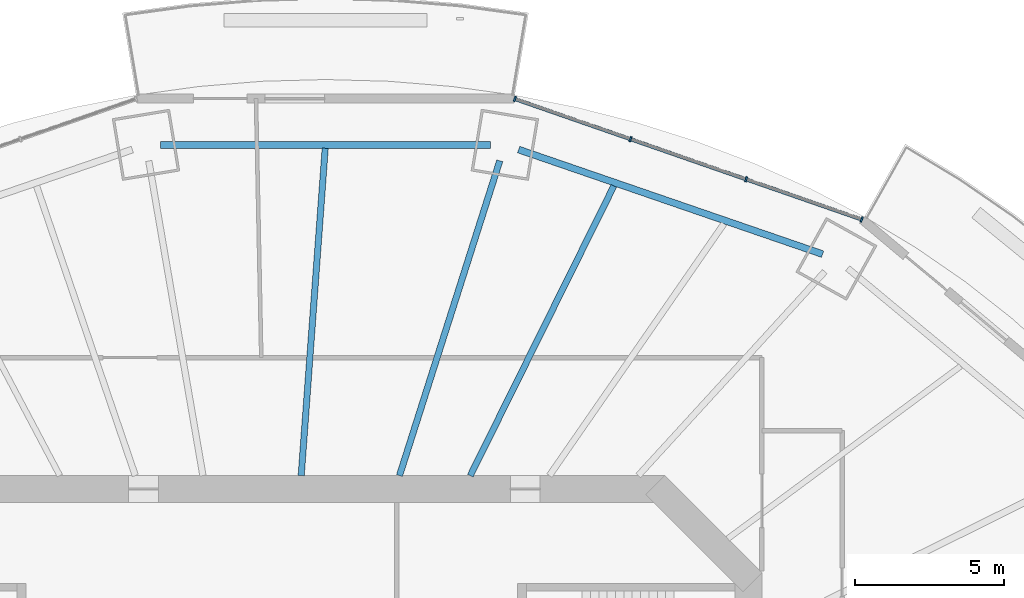
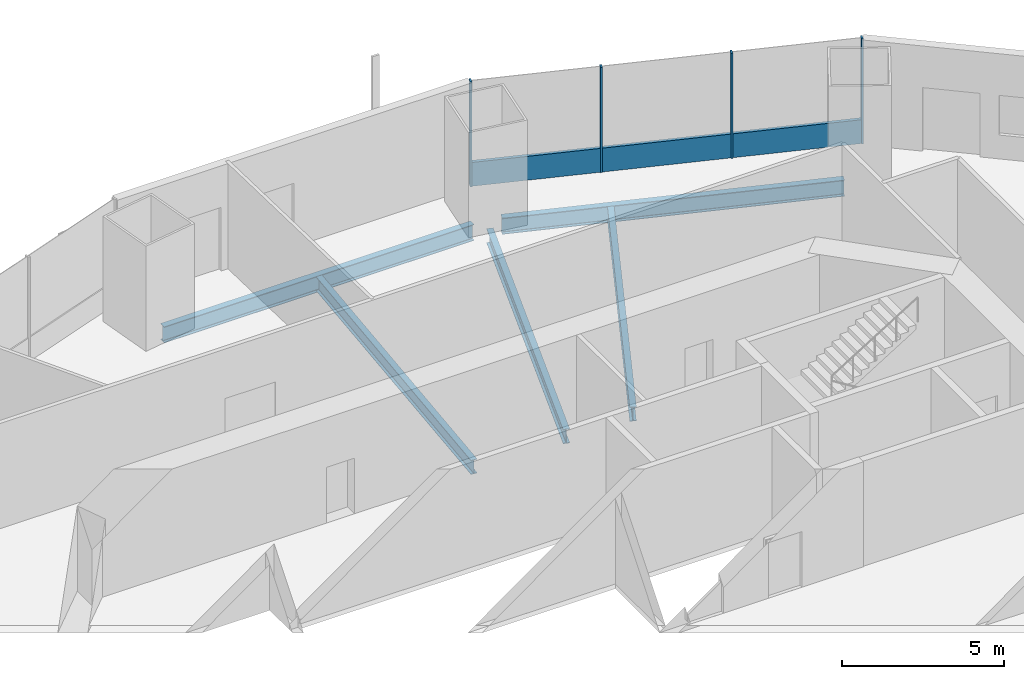
# One storey, part 8 of 20: 5 beams, 5 members, 1 element without a shape of its own.
"""IFC4 building model written with IfcOpenShell, lengths in metres."""

from ifc_helpers import new_model, si_unit, direction, frame, origin, origin_2d, place, context, subcontext, project, spatial, rectangle, i_section, extrude, material, material_profile, profile_set, type_object, element, aggregate, save


model = new_model("IFC4")

# Units and contexts
model_context = context("Model", 3, precision=1e-05, world=origin(), true_north=direction((0.0, 1.0)))
body_context = subcontext(model_context, "Body", "Model", "MODEL_VIEW")
ifc_project = project(units=[si_unit("LENGTHUNIT", "METRE"), si_unit("AREAUNIT", "SQUARE_METRE"), si_unit("VOLUMEUNIT", "CUBIC_METRE"), si_unit("PLANEANGLEUNIT", "RADIAN"), si_unit("MASSUNIT", "GRAM", prefix="KILO")], contexts=[model_context])

# Site, building, storey
site_placement = place(None, origin())
site = spatial("IfcSite", under=ifc_project, at=site_placement, CompositionType="ELEMENT")
building_placement = place(site_placement, origin())
building = spatial("IfcBuilding", under=site, at=building_placement, Name="Marenthal Gate Tower", CompositionType="ELEMENT")
storey_placement = place(building_placement, frame((0.0, 0.0, 173.5)))
storey = spatial("IfcBuildingStorey", under=building, at=storey_placement, Name="L37", CompositionType="ELEMENT", Elevation=173.5)

# Curtain wall, members
ifc_material_1 = material(Name="Aluminium and glass", Category="aluminium")
curtain_wall_type = type_object("IfcCurtainWallType", Name="Curtain wall typical mid", PredefinedType="NOTDEFINED", material=ifc_material_1)
curtain_wall_placement = place(storey_placement, origin())
curtain_wall = element("IfcCurtainWall", 1, at=curtain_wall_placement, inside=storey, type_object=curtain_wall_type, Name="Curtain wall L37 bay 3", PredefinedType="NOTDEFINED")
ifc_material_2 = material(Name="Aluminium", Category="aluminium")
ifc_material_profile_1 = material_profile(ifc_material_2, rectangle(XDim=0.179931640625, YDim=0.06005859375, at=origin_2d()), Name="60x180 aluminium mullion")
ifc_profile_set_1 = profile_set([ifc_material_profile_1], Name="Aluminium")
member_type_1 = type_object("IfcMemberType", Name="Mullion 60x180 typical mid", PredefinedType="MULLION", material=ifc_profile_set_1)
member_1_placement = place(storey_placement, frame((19.8037109375, 22.04736328125, 0.0), z_axis=(0.0, 0.0, 1.0), x_axis=(-0.32821091538, -0.944604464856, 0.0)))
member_1 = element("IfcMember", 2, at=member_1_placement, type_object=member_type_1, Name="Mullion L37 bay 3.1", PredefinedType="MULLION", context=body_context, shape_type="SweptSolid", body=[
    extrude(rectangle(XDim=0.179931640625, YDim=0.06005859375, at=origin_2d()), origin(), (0.0, 0.0, 1.0), 3.969970703125),
])
member_2_placement = place(storey_placement, frame((15.922607421875, 23.39599609375, 0.0), z_axis=(0.0, 0.0, 1.0), x_axis=(-0.32821091538, -0.944604464856, 0.0)))
member_2 = element("IfcMember", 3, at=member_2_placement, type_object=member_type_1, Name="Mullion L37 bay 3.2", PredefinedType="MULLION", context=body_context, shape_type="SweptSolid", body=[
    extrude(rectangle(XDim=0.179931640625, YDim=0.06005859375, at=origin_2d()), origin(), (0.0, 0.0, 1.0), 3.969970703125),
])
member_3_placement = place(storey_placement, frame((12.04150390625, 24.74462890625, 0.0), z_axis=(0.0, 0.0, 1.0), x_axis=(-0.32821091538, -0.944604464856, 0.0)))
member_3 = element("IfcMember", 4, at=member_3_placement, type_object=member_type_1, Name="Mullion L37 bay 3.3", PredefinedType="MULLION", context=body_context, shape_type="SweptSolid", body=[
    extrude(rectangle(XDim=0.179931640625, YDim=0.06005859375, at=origin_2d()), origin(), (0.0, 0.0, 1.0), 3.969970703125),
])
member_4_placement = place(storey_placement, frame((8.160400390625, 26.093017578125, 0.0), z_axis=(0.0, 0.0, 1.0), x_axis=(-0.32821091538, -0.944604464856, 0.0)))
member_4 = element("IfcMember", 5, at=member_4_placement, type_object=member_type_1, Name="Mullion L37 bay 3.4", PredefinedType="MULLION", context=body_context, shape_type="SweptSolid", body=[
    extrude(rectangle(XDim=0.179931640625, YDim=0.06005859375, at=origin_2d()), origin(), (0.0, 0.0, 1.0), 3.969970703125),
])
ifc_material_3 = material(Name="Aluminium", Category="aluminium")
ifc_material_profile_2 = material_profile(ifc_material_3, rectangle(XDim=0.1201171875, YDim=0.89990234375, at=origin_2d()), Name="120x900 aluminium transom")
ifc_profile_set_2 = profile_set([ifc_material_profile_2], Name="Aluminium")
member_type_2 = type_object("IfcMemberType", Name="Transom 120x900 typical mid", PredefinedType="USERDEFINED", material=ifc_profile_set_2)
member_5_placement = place(storey_placement, frame((19.775390625, 22.057373046875, 0.449951171875), z_axis=(-0.944604688319, 0.328210272243, 0.0), x_axis=(-0.328210272243, -0.944604688319, 0.0)))
member_5 = element("IfcMember", 6, at=member_5_placement, type_object=member_type_2, Name="Transom L37 bay 3", ObjectType="TRANSOM", PredefinedType="USERDEFINED", context=body_context, shape_type="SweptSolid", body=[
    extrude(rectangle(XDim=0.1201171875, YDim=0.89990234375, at=origin_2d()), origin(), (0.0, 0.0, 1.0), 12.26611328125),
])
aggregate(curtain_wall, [member_1, member_2, member_3, member_4, member_5])

# Beams
ifc_material_4 = material(Name="Steel S355", Category="steel")
ifc_material_profile_3 = material_profile(ifc_material_4, i_section(OverallWidth=0.2099609375, OverallDepth=0.535888671875, WebThickness=0.010986328125, FlangeThickness=0.017333984375, FilletRadius=0.0126953125, at=origin_2d()), Name="W530X101")
ifc_profile_set_3 = profile_set([ifc_material_profile_3], Name="Steel S355")
beam_type_1 = type_object("IfcBeamType", Name="W530X101 beam", PredefinedType="BEAM", material=ifc_profile_set_3)
beam_1_placement = place(storey_placement, frame((11.482666015625, 23.17333984375, -0.447998046875), z_axis=(-0.443979933234, -0.896036728536, 0.0), x_axis=(0.896036728536, -0.443979933234, 0.0)))
element("IfcBeam", 7, at=beam_1_placement, inside=storey, type_object=beam_type_1, Name="BM-L37-21", PredefinedType="BEAM", context=body_context, shape_type="SweptSolid", body=[
    extrude(i_section(OverallWidth=0.2099609375, OverallDepth=0.535888671875, WebThickness=0.010986328125, FlangeThickness=0.017333984375, FilletRadius=0.0126953125, at=origin_2d()), origin(), (0.0, 0.0, 1.0), 10.8515625),
])
beam_2_placement = place(storey_placement, frame((1.79150390625, 24.438720703125, -0.447998046875), z_axis=(-0.073098738364, -0.997324708633, 0.0), x_axis=(0.997324708633, -0.073098738364, 0.0)))
element("IfcBeam", 8, at=beam_2_placement, inside=storey, type_object=beam_type_1, Name="BM-L37-22", PredefinedType="BEAM", context=body_context, shape_type="SweptSolid", body=[
    extrude(i_section(OverallWidth=0.2099609375, OverallDepth=0.535888671875, WebThickness=0.010986328125, FlangeThickness=0.017333984375, FilletRadius=0.0126953125, at=origin_2d()), origin(), (0.0, 0.0, 1.0), 11.018310546875),
])
ifc_material_5 = material(Name="Steel S355", Category="steel")
ifc_material_profile_4 = material_profile(ifc_material_5, i_section(OverallWidth=0.2119140625, OverallDepth=0.5439453125, WebThickness=0.01318359375, FlangeThickness=0.021240234375, FilletRadius=0.0126953125, at=origin_2d()), Name="W530X123")
ifc_profile_set_4 = profile_set([ifc_material_profile_4], Name="Steel S355")
beam_type_2 = type_object("IfcBeamType", Name="W530X123 beam", PredefinedType="BEAM", material=ifc_profile_set_4)
beam_3_placement = place(storey_placement, frame((7.6533203125, 24.0185546875, -0.451904296875), z_axis=(-0.303587924845, -0.952803427727, 0.0), x_axis=(0.952803427727, -0.303587924845, 0.0)))
element("IfcBeam", 9, at=beam_3_placement, inside=storey, type_object=beam_type_2, Name="BM-L37-04", PredefinedType="BEAM", context=body_context, shape_type="SweptSolid", body=[
    extrude(i_section(OverallWidth=0.2119140625, OverallDepth=0.5439453125, WebThickness=0.01318359375, FlangeThickness=0.021240234375, FilletRadius=0.0126953125, at=origin_2d()), origin(), (0.0, 0.0, 1.0), 11.092041015625),
])
ifc_material_6 = material(Name="Steel S355", Category="steel")
ifc_material_profile_5 = material_profile(ifc_material_6, i_section(OverallWidth=0.22900390625, OverallDepth=0.612060546875, WebThickness=0.011962890625, FlangeThickness=0.01953125, FilletRadius=0.0126953125, at=origin_2d()), Name="W610X125")
ifc_profile_set_5 = profile_set([ifc_material_profile_5], Name="Steel S355")
beam_type_3 = type_object("IfcBeamType", Name="W610X125 beam", PredefinedType="BEAM", material=ifc_profile_set_5)
beam_4_placement = place(storey_placement, frame((18.49072265625, 20.88330078125, -0.486083984375), z_axis=(-0.945596584749, 0.325341511203, 0.0), x_axis=(-0.325341511203, -0.945596584749, 0.0)))
element("IfcBeam", 10, at=beam_4_placement, inside=storey, type_object=beam_type_3, Name="BM-L37-43", PredefinedType="BEAM", context=body_context, shape_type="SweptSolid", body=[
    extrude(i_section(OverallWidth=0.22900390625, OverallDepth=0.612060546875, WebThickness=0.011962890625, FlangeThickness=0.01953125, FilletRadius=0.0126953125, at=origin_2d()), origin(), (0.0, 0.0, 1.0), 10.791748046875),
])
beam_5_placement = place(storey_placement, frame((7.335693359375, 24.55322265625, -0.486083984375), z_axis=(-1.0, 0.0, 0.0), x_axis=(0.0, -1.0, 0.0)))
element("IfcBeam", 11, at=beam_5_placement, inside=storey, type_object=beam_type_3, Name="BM-L37-44", PredefinedType="BEAM", context=body_context, shape_type="SweptSolid", body=[
    extrude(i_section(OverallWidth=0.22900390625, OverallDepth=0.612060546875, WebThickness=0.011962890625, FlangeThickness=0.01953125, FilletRadius=0.0126953125, at=origin_2d()), origin(), (0.0, 0.0, 1.0), 11.0712890625),
])

save(model, "model.ifc")
